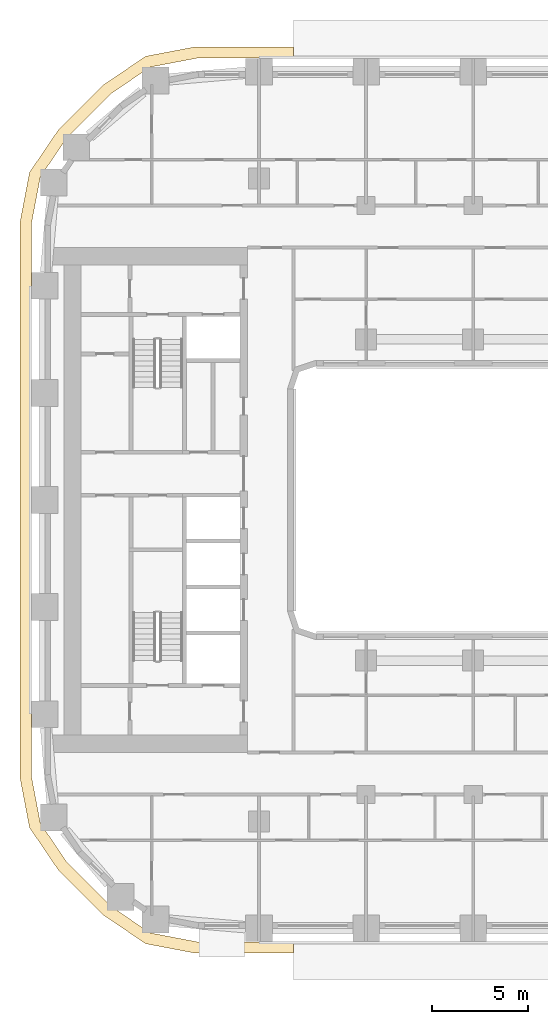
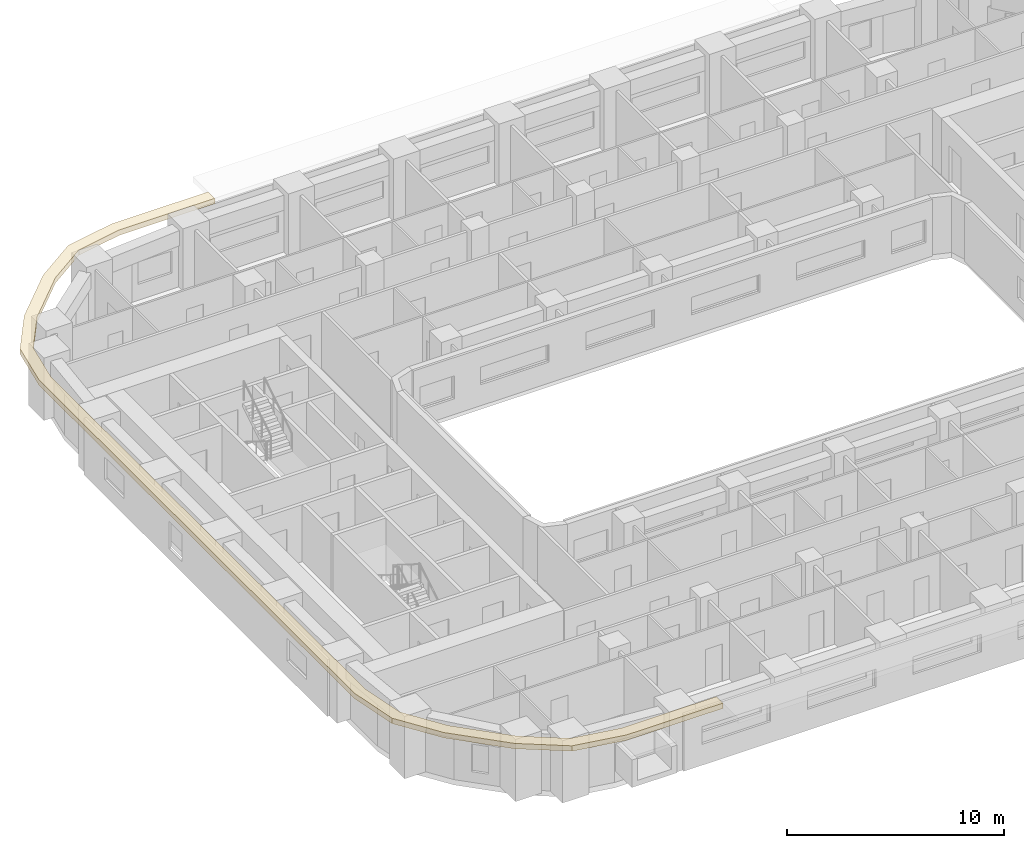
# One storey, part 15 of 22: 1 covering.
"""IFC4 building model written with IfcOpenShell, lengths in metres."""

from ifc_helpers import new_model, si_unit, direction, frame, origin, place, context, subcontext, project, spatial, polyline, outline, extrude, material, layer, layer_set, type_object, element, save


model = new_model("IFC4")

# Units and contexts
model_context = context("Model", 3, precision=1e-05, world=origin(), true_north=direction((0.0, 1.0)))
body_context = subcontext(model_context, "Body", "Model", "MODEL_VIEW")
ifc_project = project(units=[si_unit("LENGTHUNIT", "METRE"), si_unit("AREAUNIT", "SQUARE_METRE"), si_unit("VOLUMEUNIT", "CUBIC_METRE"), si_unit("PLANEANGLEUNIT", "RADIAN"), si_unit("MASSUNIT", "GRAM", prefix="KILO")], contexts=[model_context])

# Site, building, storey
site_placement = place(None, origin())
site = spatial("IfcSite", under=ifc_project, at=site_placement, CompositionType="ELEMENT")
building_placement = place(site_placement, origin())
building = spatial("IfcBuilding", under=site, at=building_placement, Name="Kiln Ring Residences", CompositionType="ELEMENT")
storey_placement = place(building_placement, frame((0.0, 0.0, 65.5)))
storey = spatial("IfcBuildingStorey", under=building, at=storey_placement, Name="L16", CompositionType="ELEMENT", Elevation=65.5)

# Covering
ifc_material = material(Name="Black powder-coated steel", Category="steel")
ifc_layer = layer(ifc_material, 0.300048828125)
ifc_layer_set = layer_set([ifc_layer], Name="SUNSHADE FIN 600")
covering_type = type_object("IfcCoveringType", Name="SUNSHADE FIN 600", PredefinedType="CLADDING", material=ifc_layer_set)
covering_placement = place(storey_placement, frame((0.0, 0.0, 3.199951171875)))
element("IfcCovering", 1, at=covering_placement, inside=storey, type_object=covering_type, Name="SUNSHADE FIN L16", PredefinedType="CLADDING", context=body_context, shape_type="SweptSolid", body=[
    extrude(outline(polyline([(-29.300048828125, -14.52294921875), (-28.80224609375, -17.13232421875), (-27.30908203125, -19.329345703125), (-24.929443359375, -21.708984375), (-22.732421875, -23.202392578125), (-20.122802734375, -23.699951171875), (-15.0, -23.699951171875), (-15.0, -23.10009765625), (-20.066162109375, -23.10009765625), (-22.497802734375, -22.63623046875), (-24.545166015625, -21.24462890625), (-26.8447265625, -18.9453125), (-28.236083984375, -16.897705078125), (-28.699951171875, -14.46630859375), (-28.699951171875, 14.46630859375), (-28.236083984375, 16.897705078125), (-26.8447265625, 18.9453125), (-24.545166015625, 21.24462890625), (-22.497802734375, 22.63623046875), (-20.066162109375, 23.10009765625), (-15.0, 23.10009765625), (-15.0, 23.699951171875), (-20.122802734375, 23.699951171875), (-22.732421875, 23.202392578125), (-24.929443359375, 21.708984375), (-27.30908203125, 19.329345703125), (-28.80224609375, 17.13232421875), (-29.300048828125, 14.52294921875), (-29.300048828125, -14.52294921875)])), origin(), (0.0, 0.0, 1.0), 0.300048828125),
])

save(model, "model.ifc")
